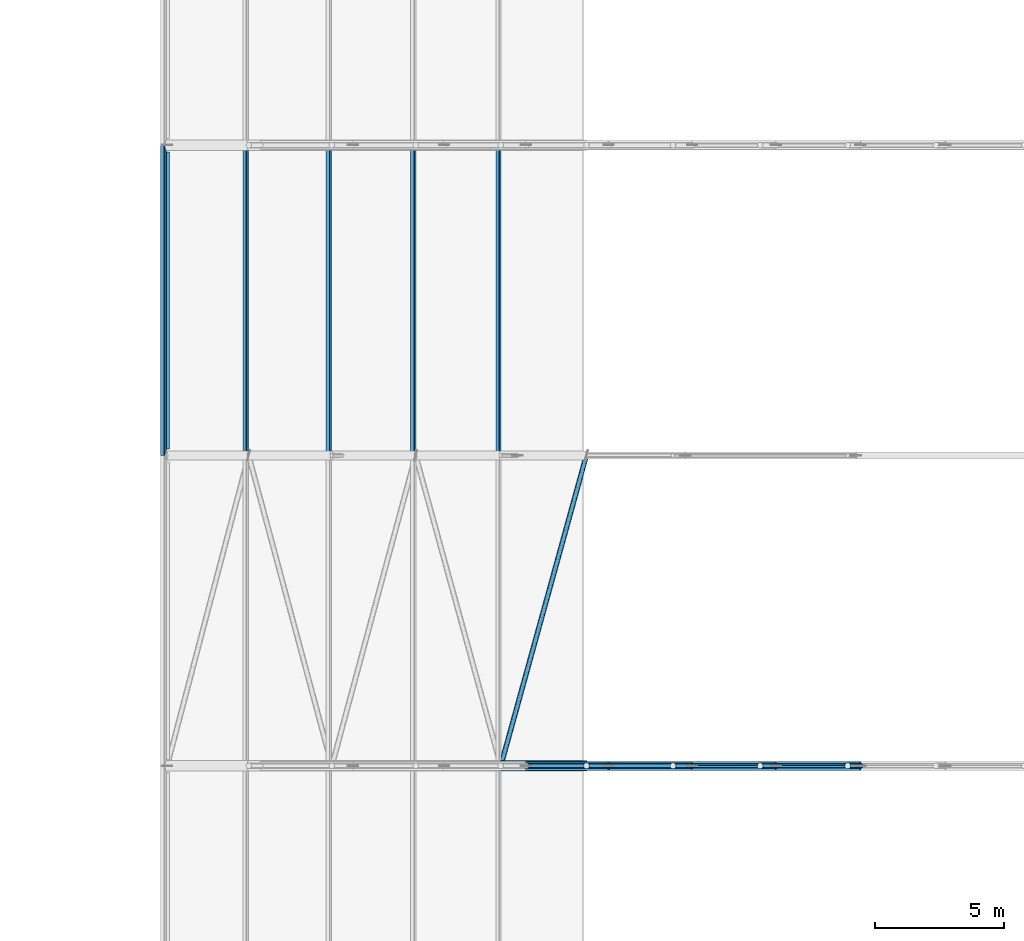
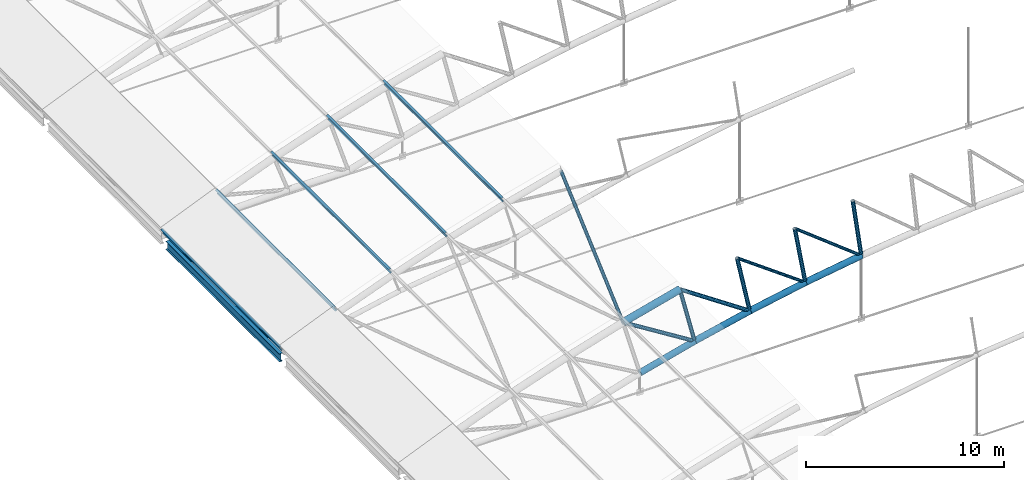
# One storey, part 152 of 321: 19 members, 1 beam.
"""IFC4 building model written with IfcOpenShell, lengths in metres."""

from ifc_helpers import new_model, si_unit, direction, frame, origin, origin_2d, place, context, subcontext, project, spatial, hollow_circle, i_section, extrude, material, material_profile, profile_set, type_object, element, save


model = new_model("IFC4")

# Units and contexts
model_context = context("Model", 3, precision=1e-05, world=origin(), true_north=direction((0.0, 1.0)))
body_context = subcontext(model_context, "Body", "Model", "MODEL_VIEW")
ifc_project = project(units=[si_unit("LENGTHUNIT", "METRE"), si_unit("AREAUNIT", "SQUARE_METRE"), si_unit("VOLUMEUNIT", "CUBIC_METRE"), si_unit("PLANEANGLEUNIT", "RADIAN"), si_unit("MASSUNIT", "GRAM", prefix="KILO")], contexts=[model_context])

# Site, building, storey
site_placement = place(None, origin())
site = spatial("IfcSite", under=ifc_project, at=site_placement, CompositionType="ELEMENT")
building_placement = place(site_placement, origin())
building = spatial("IfcBuilding", under=site, at=building_placement, Name="Ravi Spectrum Wholesale Market", CompositionType="ELEMENT")
storey_placement = place(building_placement, frame((0.0, 0.0, 10.800048828125)))
storey = spatial("IfcBuildingStorey", under=building, at=storey_placement, Name="L02", CompositionType="ELEMENT", Elevation=10.800048828125)

# Members
ifc_material_1 = material(Name="Steel S355", Category="steel")
ifc_material_profile_1 = material_profile(ifc_material_1, hollow_circle(Radius=0.084228515625, WallThickness=0.00634765625, at=origin_2d()))
ifc_profile_set_1 = profile_set([ifc_material_profile_1], Name="Steel S355")
member_type_1 = type_object("IfcMemberType", Name="CHS 168.3x6.3 brace", PredefinedType="BRACE", material=ifc_profile_set_1)
for number, where, z_axis, x_axis, name in (
    (1, (49.563720703125, 150.0, 6.27734375), (0.808703958366, 0.0, -0.588215868303), (0.0, 1.0, 0.0), "H1-MB-L02-887"),
    (2, (52.9326171875, 150.0, 6.92431640625), (0.787944778548, 0.0, -0.615745910225), (0.0, 1.0, 0.0), "H1-MB-L02-888"),
):
    element("IfcMember", number, at=place(storey_placement, frame(where, z_axis=z_axis, x_axis=x_axis)), inside=storey, type_object=member_type_1, Name=name, PredefinedType="BRACE", context=body_context, shape_type="SweptSolid", body=[
        extrude(hollow_circle(Radius=0.084228515625, WallThickness=0.00634765625, at=origin_2d()), origin(), (0.0, 0.0, 1.0), 4.9296875),
    ])
ifc_material_2 = material(Name="Steel S355", Category="steel")
ifc_material_profile_2 = material_profile(ifc_material_2, hollow_circle(Radius=0.096923828125, WallThickness=0.00634765625, at=origin_2d()))
ifc_profile_set_2 = profile_set([ifc_material_profile_2], Name="Steel S355")
member_type_2 = type_object("IfcMemberType", Name="CHS 193.7x6.3 brace", PredefinedType="BRACE", material=ifc_profile_set_2)
member_1_placement = place(storey_placement, frame((42.903076171875, 150.0, 4.63671875), z_axis=(0.265211760798, 0.961475768309, 0.072298470859), x_axis=(-0.963998512585, 0.265907630079, 0.0)))
element("IfcMember", 3, at=member_1_placement, inside=storey, type_object=member_type_2, Name="H1-MB-L02-1684", PredefinedType="BRACE", context=body_context, shape_type="SweptSolid", body=[
    extrude(hollow_circle(Radius=0.096923828125, WallThickness=0.00634765625, at=origin_2d()), origin(), (0.0, 0.0, 1.0), 12.480712890625),
])
ifc_material_3 = material(Name="Steel S355", Category="steel")
ifc_material_profile_3 = material_profile(ifc_material_3, hollow_circle(Radius=0.109619140625, WallThickness=0.008056640625, at=origin_2d()))
ifc_profile_set_3 = profile_set([ifc_material_profile_3], Name="Steel S355")
member_type_3 = type_object("IfcMemberType", Name="CHS 219.1x8 brace", PredefinedType="BRACE", material=ifc_profile_set_3)
for number, where, z_axis, x_axis, name in (
    (4, (42.903076171875, 150.0, 4.63671875), (0.847368909482, 0.0, -0.531004643335), (0.0, 1.0, 0.0), "H1-MB-L02-885"),
    (5, (46.21923828125, 150.0, 5.514404296875), (0.828544259915, 0.0, -0.559923574573), (0.0, 1.0, 0.0), "H1-MB-L02-886"),
):
    element("IfcMember", number, at=place(storey_placement, frame(where, z_axis=z_axis, x_axis=x_axis)), inside=storey, type_object=member_type_3, Name=name, PredefinedType="BRACE", context=body_context, shape_type="SweptSolid", body=[
        extrude(hollow_circle(Radius=0.109619140625, WallThickness=0.008056640625, at=origin_2d()), origin(), (0.0, 0.0, 1.0), 4.9296875),
    ])
ifc_material_4 = material(Name="Steel S355", Category="steel")
ifc_material_profile_4 = material_profile(ifc_material_4, hollow_circle(Radius=0.109619140625, WallThickness=0.008056640625, at=origin_2d()))
ifc_profile_set_4 = profile_set([ifc_material_profile_4], Name="Steel S355")
member_type_4 = type_object("IfcMemberType", Name="CHS 219.1x8 post", PredefinedType="POST", material=ifc_profile_set_4)
member_2_placement = place(storey_placement, frame((46.21923828125, 150.0, 5.514404296875), z_axis=(0.239199072456, 0.0, -0.970970547306), x_axis=(0.0, 1.0, 0.0)))
element("IfcMember", 6, at=member_2_placement, inside=storey, type_object=member_type_4, Name="H1-MB-L02-863", PredefinedType="POST", context=body_context, shape_type="SweptSolid", body=[
    extrude(hollow_circle(Radius=0.109619140625, WallThickness=0.008056640625, at=origin_2d()), origin(), (0.0, 0.0, 1.0), 3.599853515625),
])
for number, where, z_axis, x_axis, name in (
    (7, (49.563720703125, 150.0, 6.27734375), (0.205549060287, 0.0, -0.978646812602), (0.0, 1.0, 0.0), "H1-MB-L02-864"),
    (8, (52.9326171875, 150.0, 6.92431640625), (0.171575852457, 0.0, -0.985170912509), (0.0, 1.0, 0.0), "H1-MB-L02-865"),
):
    element("IfcMember", number, at=place(storey_placement, frame(where, z_axis=z_axis, x_axis=x_axis)), inside=storey, type_object=member_type_4, Name=name, PredefinedType="POST", context=body_context, shape_type="SweptSolid", body=[
        extrude(hollow_circle(Radius=0.109619140625, WallThickness=0.008056640625, at=origin_2d()), origin(), (0.0, 0.0, 1.0), 3.60009765625),
    ])
member_3_placement = place(storey_placement, frame((56.321533203125, 150.0, 7.45458984375), z_axis=(0.137603486835, 0.0, -0.990487395382), x_axis=(0.0, 1.0, 0.0)))
element("IfcMember", 9, at=member_3_placement, inside=storey, type_object=member_type_4, Name="H1-MB-L02-866", PredefinedType="POST", context=body_context, shape_type="SweptSolid", body=[
    extrude(hollow_circle(Radius=0.109619140625, WallThickness=0.008056640625, at=origin_2d()), origin(), (0.0, 0.0, 1.0), 3.599853515625),
])
ifc_material_5 = material(Name="Steel S355", Category="steel")
ifc_material_profile_5 = material_profile(ifc_material_5, hollow_circle(Radius=0.177734375, WallThickness=0.012451171875, at=origin_2d()))
ifc_profile_set_5 = profile_set([ifc_material_profile_5], Name="Steel S355")
member_type_5 = type_object("IfcMemberType", Name="CHS 355.6x12.5 chord", PredefinedType="CHORD", material=ifc_profile_set_5)
for number, where, z_axis, x_axis, name in (
    (10, (43.88427734375, 150.0, 1.173095703125), (0.966710063159, 0.0, 0.255874292938), (0.0, 1.0, 0.0), "H1-MB-L02-839"),
    (11, (47.080322265625, 150.0, 2.01904296875), (0.974967923727, 0.0, 0.222345559217), (0.0, 1.0, 0.0), "H1-MB-L02-840"),
):
    element("IfcMember", number, at=place(storey_placement, frame(where, z_axis=z_axis, x_axis=x_axis)), inside=storey, type_object=member_type_5, Name=name, PredefinedType="CHORD", context=body_context, shape_type="SweptSolid", body=[
        extrude(hollow_circle(Radius=0.177734375, WallThickness=0.012451171875, at=origin_2d()), origin(), (0.0, 0.0, 1.0), 3.30615234375),
    ])
member_4_placement = place(storey_placement, frame((50.3037109375, 150.0, 2.754150390625), z_axis=(0.982051718756, 0.0, 0.188611828072), x_axis=(0.0, 1.0, 0.0)))
element("IfcMember", 12, at=member_4_placement, inside=storey, type_object=member_type_5, Name="H1-MB-L02-841", PredefinedType="CHORD", context=body_context, shape_type="SweptSolid", body=[
    extrude(hollow_circle(Radius=0.177734375, WallThickness=0.012451171875, at=origin_2d()), origin(), (0.0, 0.0, 1.0), 3.305908203125),
])
member_5_placement = place(storey_placement, frame((53.55029296875, 150.0, 3.377685546875), z_axis=(0.987973992944, 0.0, 0.154620145084), x_axis=(0.0, 1.0, 0.0)))
element("IfcMember", 13, at=member_5_placement, inside=storey, type_object=member_type_5, Name="H1-MB-L02-842", PredefinedType="CHORD", context=body_context, shape_type="SweptSolid", body=[
    extrude(hollow_circle(Radius=0.177734375, WallThickness=0.012451171875, at=origin_2d()), origin(), (0.0, 0.0, 1.0), 3.306396484375),
])
ifc_material_6 = material(Name="Steel S355", Category="steel")
ifc_material_profile_6 = material_profile(ifc_material_6, hollow_circle(Radius=0.203125, WallThickness=0.01611328125, at=origin_2d()))
ifc_profile_set_6 = profile_set([ifc_material_profile_6], Name="Steel S355")
member_type_6 = type_object("IfcMemberType", Name="CHS 406.4x16 chord", PredefinedType="CHORD", material=ifc_profile_set_6)
member_6_placement = place(storey_placement, frame((42.903076171875, 150.0, 4.63671875), z_axis=(0.966714030155, 0.0, 0.255859304896), x_axis=(0.0, 1.0, 0.0)))
element("IfcMember", 14, at=member_6_placement, inside=storey, type_object=member_type_6, Name="H1-MB-L02-815", PredefinedType="CHORD", context=body_context, shape_type="SweptSolid", body=[
    extrude(hollow_circle(Radius=0.203125, WallThickness=0.01611328125, at=origin_2d()), origin(), (0.0, 0.0, 1.0), 3.430419921875),
])
ifc_material_7 = material(Name="Steel S355", Category="steel")
ifc_material_profile_7 = material_profile(ifc_material_7, i_section(OverallWidth=0.135009765625, OverallDepth=0.27001953125, WebThickness=0.006591796875, FlangeThickness=0.01025390625, at=origin_2d()))
ifc_profile_set_7 = profile_set([ifc_material_profile_7], Name="Steel S355")
member_type_7 = type_object("IfcMemberType", Name="IPE 270 purlin", PredefinedType="PURLIN", material=ifc_profile_set_7)
for number, where, z_axis, x_axis, name in (
    (15, (29.864013671875, 162.0, 0.3095703125), (0.0, 1.0, 0.0), (-0.915525334521, 0.0, -0.402260316027), "H1-MB-L02-1509"),
    (16, (33.03857421875, 162.0, 1.6396484375), (0.0, 1.0, 0.0), (-0.928855283584, 0.0, -0.370442792017), "H1-MB-L02-1510"),
    (17, (36.25732421875, 162.0, 2.859375), (0.0, 1.0, 0.0), (-0.941079849597, 0.0, -0.338184441811), "H1-MB-L02-1511"),
    (18, (39.515869140625, 162.0, 3.96728515625), (0.0, 1.0, 0.0), (-0.952184497174, 0.0, -0.305523621577), "H1-MB-L02-1512"),
    (19, (42.81103515625, 162.0, 4.962158203125), (0.0, 1.0, 0.0), (-0.96215600485, 0.0, -0.272499215286), "H1-MB-L02-1513"),
):
    element("IfcMember", number, at=place(storey_placement, frame(where, z_axis=z_axis, x_axis=x_axis)), inside=storey, type_object=member_type_7, Name=name, PredefinedType="PURLIN", context=body_context, shape_type="SweptSolid", body=[
        extrude(i_section(OverallWidth=0.135009765625, OverallDepth=0.27001953125, WebThickness=0.006591796875, FlangeThickness=0.01025390625, at=origin_2d()), origin(), (0.0, 0.0, 1.0), 12.0),
    ])

# Beam
ifc_material_8 = material(Name="Steel S355", Category="steel")
ifc_material_profile_8 = material_profile(ifc_material_8, i_section(OverallWidth=0.199951171875, OverallDepth=0.5, WebThickness=0.01025390625, FlangeThickness=0.01611328125, at=origin_2d()))
ifc_profile_set_8 = profile_set([ifc_material_profile_8], Name="Steel S355")
beam_type = type_object("IfcBeamType", Name="IPE 500 girder", PredefinedType="BEAM", material=ifc_profile_set_8)
beam_placement = place(storey_placement, frame((30.0, 162.25390625, -0.449951171875), z_axis=(0.0, 1.0, 0.0), x_axis=(-1.0, 0.0, 0.0)))
element("IfcBeam", 20, at=beam_placement, inside=storey, type_object=beam_type, Name="H1-BM-L02-012", PredefinedType="BEAM", context=body_context, shape_type="SweptSolid", body=[
    extrude(i_section(OverallWidth=0.199951171875, OverallDepth=0.5, WebThickness=0.01025390625, FlangeThickness=0.01611328125, at=origin_2d()), origin(), (0.0, 0.0, 1.0), 11.4921875),
])

save(model, "model.ifc")
